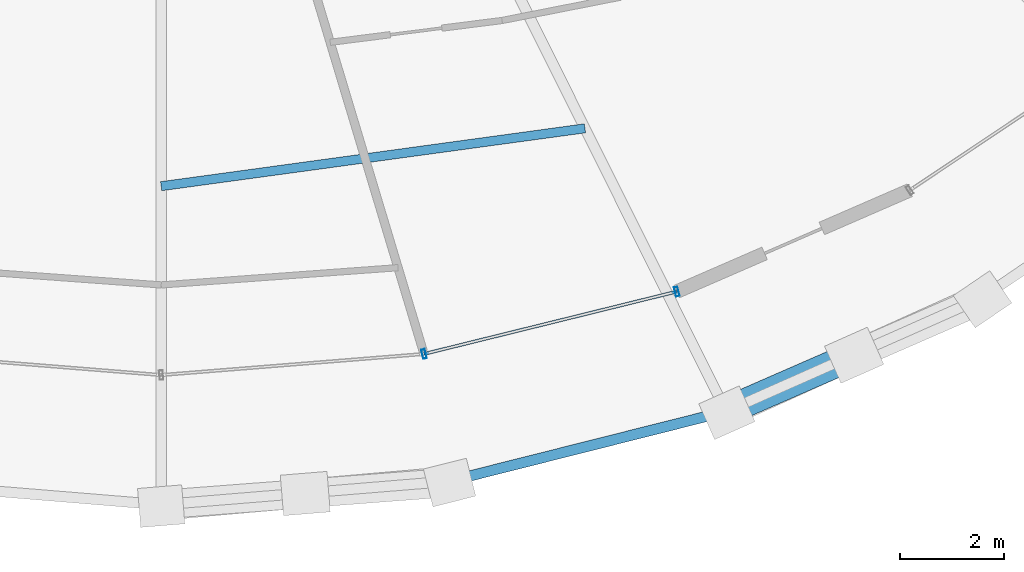
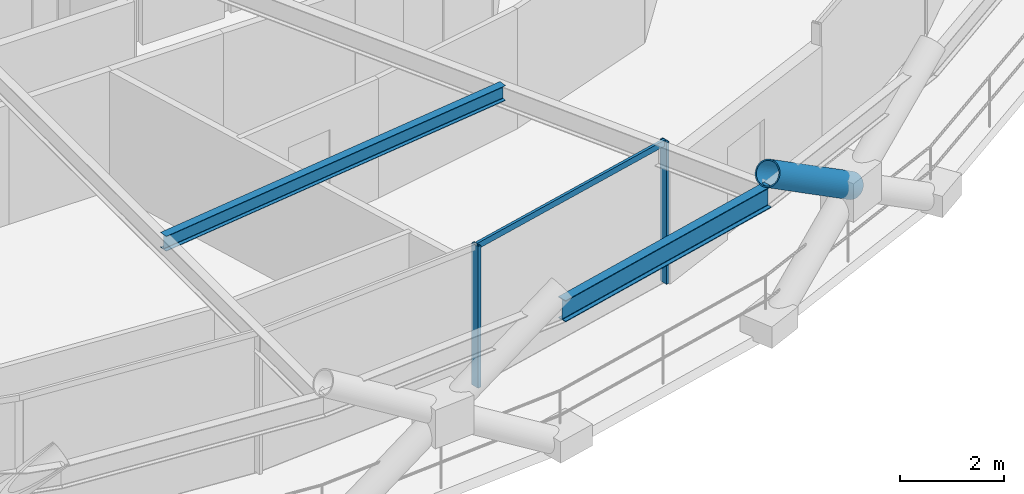
# One storey, part 4 of 21: 4 members, 2 beams, 1 element without a shape of its own.
"""IFC4 building model written with IfcOpenShell, lengths in metres."""

import ifcopenshell
import ifcopenshell.guid

model = None  # the IFC model being written
_history = None  # IfcOwnerHistory: only IFC2X3 demands one
_inside = {}  # id of a spatial element -> (the spatial element, [elements in it])
_under = {}  # id of a project, library or spatial element -> (it, [spatial elements below it])
_declared = {}  # id of a project -> (the project, [libraries it declares])
_typed = {}  # id of a type object -> (the type object, [elements of that type])
_made_of = {}  # id of a material, layer set ... -> (it, [elements and type objects made of it])


def new_model(schema):
    """Start an empty IFC model of exactly this schema.

    Asked for "IFC4X3", IfcOpenShell would pick the latest addendum, in which some entities
    have other attributes; the version numbers below select the first issue.
    IFC2X3 requires an IfcOwnerHistory on every rooted entity: one is made here for all.
    """
    global model, _history
    if schema == "IFC4X3":
        model = ifcopenshell.file(schema_version=(4, 3, 0, 0))
    else:
        model = ifcopenshell.file(schema=schema)
    _inside.clear()
    _under.clear()
    _declared.clear()
    _typed.clear()
    _made_of.clear()
    _history = None
    if model.schema == "IFC2X3":
        org = make("IfcOrganization", Name="unknown")
        user = make(
            "IfcPersonAndOrganization",
            ThePerson=make("IfcPerson", FamilyName="unknown"),
            TheOrganization=org,
        )
        app = make(
            "IfcApplication",
            ApplicationDeveloper=org,
            Version="unknown",
            ApplicationFullName="unknown",
            ApplicationIdentifier="unknown",
        )
        _history = make(
            "IfcOwnerHistory",
            OwningUser=user,
            OwningApplication=app,
            ChangeAction="ADDED",
            CreationDate=0,
        )
    return model


def make(cls, **values):
    """One entity of the class cls with the attributes given. An attribute that is None is left unset."""
    return model.create_entity(
        cls, **{name: value for name, value in values.items() if value is not None}
    )


def rooted(cls, **values):
    """An entity with a GlobalId (a new one), such as an element, a storey or a relation."""
    return make(cls, GlobalId=ifcopenshell.guid.new(), OwnerHistory=_history, **values)


def si_unit(unit_type, name, prefix=None):
    """IfcSIUnit, for example si_unit("LENGTHUNIT", "METRE", prefix="MILLI")."""
    return make("IfcSIUnit", UnitType=unit_type, Prefix=prefix, Name=name)


def assignment(units):
    """IfcUnitAssignment: the units of a project."""
    return None if units is None else make("IfcUnitAssignment", Units=units)


def point(xyz):
    """IfcCartesianPoint."""
    return None if xyz is None else make("IfcCartesianPoint", Coordinates=xyz)


def direction(xyz):
    """IfcDirection."""
    return None if xyz is None else make("IfcDirection", DirectionRatios=xyz)


def frame(location, z_axis=None, x_axis=None):
    """IfcAxis2Placement3D, a coordinate frame: its origin and axes. An axis left out is left unset."""
    return make(
        "IfcAxis2Placement3D",
        Location=point(location),
        Axis=direction(z_axis),
        RefDirection=direction(x_axis),
    )


def frame_2d(location, x_axis=None):
    """IfcAxis2Placement2D, a coordinate frame in the plane: its origin and x axis."""
    return make(
        "IfcAxis2Placement2D", Location=point(location), RefDirection=direction(x_axis)
    )


def origin():
    """The frame at (0, 0, 0) with its axes left unset."""
    return frame((0.0, 0.0, 0.0))


def origin_2d():
    """The frame at (0, 0) in the plane with its x axis left unset."""
    return frame_2d((0.0, 0.0))


def place(relative_to, where):
    """IfcLocalPlacement: puts the frame where relative to a parent placement (None: the world)."""
    return make(
        "IfcLocalPlacement", PlacementRelTo=relative_to, RelativePlacement=where
    )


def context(
    kind, dimensions, precision=None, world=None, true_north=None, identifier=None
):
    """IfcGeometricRepresentationContext, for example the 3D "Model" context."""
    return make(
        "IfcGeometricRepresentationContext",
        ContextIdentifier=identifier,
        ContextType=kind,
        CoordinateSpaceDimension=dimensions,
        Precision=precision,
        WorldCoordinateSystem=world,
        TrueNorth=true_north,
    )


def subcontext(parent, identifier, kind, view, scale=None):
    """IfcGeometricRepresentationSubContext, for example "Body" below "Model"."""
    return make(
        "IfcGeometricRepresentationSubContext",
        ContextIdentifier=identifier,
        ContextType=kind,
        ParentContext=parent,
        TargetScale=scale,
        TargetView=view,
    )


def project(units=None, contexts=None):
    """IfcProject with its units and contexts."""
    return rooted(
        "IfcProject",
        Name="project",
        RepresentationContexts=contexts,
        UnitsInContext=assignment(units),
    )


def spatial(cls, under=None, at=None, **own):
    """A site, building, storey or space (cls), placed at a placement, below another one or the project."""
    s = rooted(cls, ObjectPlacement=at, **own)
    if under is not None:
        _under.setdefault(under.id(), (under, []))[1].append(s)
    return s


def profile(cls, at=None, kind="AREA", **sizes):
    """A parametric profile (cls). Its sizes go by their IFC names, for example OverallWidth=200.0."""
    return make(cls, ProfileType=kind, Position=at, **sizes)


def hollow_rectangle(**sizes):
    """IfcRectangleHollowProfileDef."""
    return profile("IfcRectangleHollowProfileDef", **sizes)


def hollow_circle(**sizes):
    """IfcCircleHollowProfileDef."""
    return profile("IfcCircleHollowProfileDef", **sizes)


def i_section(**sizes):
    """IfcIShapeProfileDef."""
    return profile("IfcIShapeProfileDef", **sizes)


def extrude(swept, where, along, depth):
    """IfcExtrudedAreaSolid: the profile swept, set in the frame where, extruded along a direction by depth."""
    return make(
        "IfcExtrudedAreaSolid",
        SweptArea=swept,
        Position=where,
        ExtrudedDirection=direction(along),
        Depth=depth,
    )


def shape(context_of_items, identifier, shape_type, items):
    """IfcShapeRepresentation: the items that make up one representation, for example the "Body"."""
    return make(
        "IfcShapeRepresentation",
        ContextOfItems=context_of_items,
        RepresentationIdentifier=identifier,
        RepresentationType=shape_type,
        Items=items,
    )


def material(Name=None, Category=None):
    """IfcMaterial."""
    return make("IfcMaterial", Name=Name, Category=Category)


def layer(
    of_material, thickness, ventilated=None, Name=None, Category=None, Priority=None
):
    """IfcMaterialLayer: one layer of a wall or slab, of a material (None: an air gap)."""
    return make(
        "IfcMaterialLayer",
        Material=of_material,
        LayerThickness=thickness,
        IsVentilated=ventilated,
        Name=Name,
        Category=Category,
        Priority=Priority,
    )


def layer_set(layers, Name=None):
    """IfcMaterialLayerSet."""
    return make("IfcMaterialLayerSet", MaterialLayers=layers, LayerSetName=Name)


def material_profile(
    of_material, cross_section, Name=None, Category=None, Priority=None
):
    """IfcMaterialProfile: a cross section and its material."""
    return make(
        "IfcMaterialProfile",
        Name=Name,
        Material=of_material,
        Profile=cross_section,
        Priority=Priority,
        Category=Category,
    )


def profile_set(profiles, Name=None, composite=None):
    """IfcMaterialProfileSet."""
    return make(
        "IfcMaterialProfileSet",
        Name=Name,
        MaterialProfiles=profiles,
        CompositeProfile=composite,
    )


def made_of(thing, what):
    """Note that an element or type object is made of a material, layer set ...; save() writes the relation."""
    if what is not None:
        _made_of.setdefault(what.id(), (what, []))[1].append(thing)
    return thing


def type_object(cls, material=None, **own):
    """A type object (cls), such as IfcWallType, which elements share."""
    return made_of(rooted(cls, **own), material)


def element(
    cls,
    number,
    at=None,
    inside=None,
    cuts=None,
    type_object=None,
    material=None,
    context=None,
    identifier="Body",
    shape_type=None,
    held_by="IfcProductDefinitionShape",
    body=None,
    shapes=None,
    **own,
):
    """One element of the class cls, such as IfcWall. Its Tag is "e" and its number.

    at: its placement. inside: the storey or other place that contains it. cuts: it is an
    opening in that element (IfcRelVoidsElement). A single representation is given by context,
    identifier, shape_type and body (its items); several are given by shapes. held_by: the class
    of the entity that holds the representations. save() writes the other relations.
    """
    e = rooted(cls, Tag="e%d" % number, ObjectPlacement=at, **own)
    if body is not None:
        shapes = [shape(context, identifier, shape_type, body)]
    if shapes is not None:
        e.Representation = make(held_by, Representations=shapes)
    if inside is not None:
        _inside.setdefault(inside.id(), (inside, []))[1].append(e)
    if cuts is not None:
        rooted(
            "IfcRelVoidsElement", RelatingBuildingElement=cuts, RelatedOpeningElement=e
        )
    if type_object is not None:
        _typed.setdefault(type_object.id(), (type_object, []))[1].append(e)
    return made_of(e, material)


def aggregate(whole, parts):
    """IfcRelAggregates: a whole, such as a stair, and the parts it consists of."""
    return rooted("IfcRelAggregates", RelatingObject=whole, RelatedObjects=parts)


def save(model, path):
    """Write the relations noted so far, then the file.

    IfcRelAggregates (storeys below a building ...), IfcRelContainedInSpatialStructure (elements
    in a storey), IfcRelDefinesByType, IfcRelAssociatesMaterial and IfcRelDeclares: one each for
    every whole, place, type object, material and project.
    """
    for whole, parts in _under.values():
        aggregate(whole, parts)
    for where, things in _inside.values():
        rooted(
            "IfcRelContainedInSpatialStructure",
            RelatedElements=things,
            RelatingStructure=where,
        )
    for kind, things in _typed.values():
        rooted("IfcRelDefinesByType", RelatedObjects=things, RelatingType=kind)
    for what, things in _made_of.values():
        rooted("IfcRelAssociatesMaterial", RelatedObjects=things, RelatingMaterial=what)
    for by, libraries in _declared.values():
        rooted("IfcRelDeclares", RelatingContext=by, RelatedDefinitions=libraries)
    model.write(path)


model = new_model("IFC4")

# Units and contexts
model_context = context("Model", 3, precision=1e-05, world=origin(), true_north=direction((0.0, 1.0)))
body_context = subcontext(model_context, "Body", "Model", "MODEL_VIEW")
ifc_project = project(units=[si_unit("LENGTHUNIT", "METRE"), si_unit("AREAUNIT", "SQUARE_METRE"), si_unit("VOLUMEUNIT", "CUBIC_METRE"), si_unit("PLANEANGLEUNIT", "RADIAN"), si_unit("MASSUNIT", "GRAM", prefix="KILO")], contexts=[model_context])

# Site, building, storey
site_placement = place(None, origin())
site = spatial("IfcSite", under=ifc_project, at=site_placement, CompositionType="ELEMENT")
building_placement = place(site_placement, origin())
building = spatial("IfcBuilding", under=site, at=building_placement, Name="Veldorina Hangang Commons", CompositionType="ELEMENT")
storey_placement = place(building_placement, frame((0.0, 0.0, 142.39990234375)))
storey = spatial("IfcBuildingStorey", under=building, at=storey_placement, Name="L36", CompositionType="ELEMENT", Elevation=142.39990234375)

# Beams
ifc_material_1 = material(Name="Steel SM355-TMC", Category="steel")
ifc_material_profile_1 = material_profile(ifc_material_1, i_section(OverallWidth=0.175048828125, OverallDepth=0.35009765625, WebThickness=0.007080078125, FlangeThickness=0.010986328125, FilletRadius=0.012939453125, at=origin_2d()), Name="H-350x175x7x11")
ifc_profile_set_1 = profile_set([ifc_material_profile_1], Name="Steel SM355-TMC")
beam_type_1 = type_object("IfcBeamType", Name="BM-JST350", PredefinedType="JOIST", material=ifc_profile_set_1)
beam_1_placement = place(storey_placement, frame((32.0, 6.5595703125, 3.175048828125), z_axis=(0.990807744856, 0.13527753965, 0.0), x_axis=(-0.13527753965, 0.990807744856, 0.0)))
element("IfcBeam", 1, at=beam_1_placement, inside=storey, type_object=beam_type_1, Name="L36 secondary floor joist 13", PredefinedType="JOIST", context=body_context, shape_type="SweptSolid", body=[
    extrude(i_section(OverallWidth=0.175048828125, OverallDepth=0.35009765625, WebThickness=0.007080078125, FlangeThickness=0.010986328125, FilletRadius=0.012939453125, at=origin_2d()), origin(), (0.0, 0.0, 1.0), 8.220703125),
])
ifc_material_2 = material(Name="Steel SM420-TMC", Category="steel")
ifc_material_profile_2 = material_profile(ifc_material_2, i_section(OverallWidth=0.199951171875, OverallDepth=0.5, WebThickness=0.010009765625, FlangeThickness=0.01611328125, FilletRadius=0.01611328125, at=origin_2d()), Name="H-500x200x10x16")
ifc_profile_set_2 = profile_set([ifc_material_profile_2], Name="Steel SM420-TMC")
beam_type_2 = type_object("IfcBeamType", Name="BM-RB500", PredefinedType="BEAM", material=ifc_profile_set_2)
beam_2_placement = place(storey_placement, frame((37.535888671875, 0.88916015625, 3.10009765625), z_axis=(0.969711938527, 0.244251420216, 0.0), x_axis=(-0.244251420216, 0.969711938527, 0.0)))
element("IfcBeam", 2, at=beam_2_placement, inside=storey, type_object=beam_type_2, Name="L36 perimeter hoop ring beam 25", PredefinedType="BEAM", context=body_context, shape_type="SweptSolid", body=[
    extrude(i_section(OverallWidth=0.199951171875, OverallDepth=0.5, WebThickness=0.010009765625, FlangeThickness=0.01611328125, FilletRadius=0.01611328125, at=origin_2d()), origin(), (0.0, 0.0, 1.0), 5.489501953125),
])

# Curtain wall, members
ifc_material_3 = material(Name="Glass Low-E Triple IGU", Category="glass")
ifc_layer = layer(ifc_material_3, 0.179931640625)
ifc_layer_set = layer_set([ifc_layer], Name="Glass Low-E Triple IGU")
curtain_wall_type = type_object("IfcCurtainWallType", Name="CW-SYS-Z2", PredefinedType="NOTDEFINED", material=ifc_layer_set)
curtain_wall_placement = place(storey_placement, origin())
curtain_wall = element("IfcCurtainWall", 3, at=curtain_wall_placement, inside=storey, type_object=curtain_wall_type, Name="L36 unitised curtain wall CW-L36-R1", PredefinedType="NOTDEFINED")
ifc_material_4 = material(Name="Aluminium Anodized AA6063-T6", Category="aluminium")
ifc_material_profile_3 = material_profile(ifc_material_4, hollow_rectangle(XDim=0.070068359375, YDim=0.179931640625, WallThickness=0.00390625, at=origin_2d()), Name="ALU-RHS-180x70x4")
ifc_profile_set_3 = profile_set([ifc_material_profile_3], Name="Aluminium Anodized AA6063-T6")
member_type_1 = type_object("IfcMemberType", Name="CW-MUL-180", PredefinedType="MULLION", material=ifc_profile_set_3)
member_1_placement = place(storey_placement, frame((37.0517578125, 3.334716796875, 0.0), z_axis=(0.0, 0.0, 1.0), x_axis=(0.970863047415, 0.239635020738, 0.0)))
member_1 = element("IfcMember", 4, at=member_1_placement, type_object=member_type_1, Name="CW-L36-R1 vertical mullion 3", PredefinedType="MULLION", context=body_context, shape_type="SweptSolid", body=[
    extrude(hollow_rectangle(XDim=0.070068359375, YDim=0.179931640625, WallThickness=0.00390625, at=origin_2d()), origin(), (0.0, 0.0, 1.0), 3.31005859375),
])
member_2_placement = place(storey_placement, frame((41.909423828125, 4.53369140625, 0.0), z_axis=(0.0, 0.0, 1.0), x_axis=(-0.970863047415, -0.239635020738, 0.0)))
member_2 = element("IfcMember", 5, at=member_2_placement, type_object=member_type_1, Name="CW-L36-R1 vertical mullion 4", PredefinedType="MULLION", context=body_context, shape_type="SweptSolid", body=[
    extrude(hollow_rectangle(XDim=0.070068359375, YDim=0.179931640625, WallThickness=0.00390625, at=origin_2d()), origin(), (0.0, 0.0, 1.0), 3.31005859375),
])
ifc_material_profile_4 = material_profile(ifc_material_4, hollow_rectangle(XDim=0.06005859375, YDim=0.139892578125, WallThickness=0.00341796875, at=origin_2d()), Name="ALU-RHS-140x60x3.5")
ifc_profile_set_4 = profile_set([ifc_material_profile_4], Name="Aluminium Anodized AA6063-T6")
member_type_2 = type_object("IfcMemberType", Name="CW-TRN-140", PredefinedType="USERDEFINED", material=ifc_profile_set_4)
member_3_placement = place(storey_placement, frame((37.0517578125, 3.334716796875, 3.27001953125), z_axis=(0.970864328727, 0.239629829541, 0.0), x_axis=(-0.239629829541, 0.970864328727, 0.0)))
member_3 = element("IfcMember", 6, at=member_3_placement, type_object=member_type_2, Name="CW-L36-R1 facet 4 transom 1", ObjectType="TRANSOM", PredefinedType="USERDEFINED", context=body_context, shape_type="SweptSolid", body=[
    extrude(hollow_rectangle(XDim=0.06005859375, YDim=0.139892578125, WallThickness=0.00341796875, at=origin_2d()), origin(), (0.0, 0.0, 1.0), 5.00341796875),
])
aggregate(curtain_wall, [member_1, member_2, member_3])

# Member
ifc_material_profile_5 = material_profile(ifc_material_2, hollow_circle(Radius=0.27490234375, WallThickness=0.028076171875, at=origin_2d()), Name="CHS-550x28")
ifc_profile_set_5 = profile_set([ifc_material_profile_5], Name="Steel SM420-TMC")
member_type_3 = type_object("IfcMemberType", Name="DG-CHS550", PredefinedType="BRACE", material=ifc_profile_set_5)
member_4_placement = place(storey_placement, frame((45.319580078125, 3.30908203125, 1.801513671875), z_axis=(-0.761601990025, -0.332516621797, 0.556232959306), x_axis=(0.400127622405, -0.916459429428, 0.0)))
element("IfcMember", 7, at=member_4_placement, inside=storey, type_object=member_type_3, Name="L36 split perimeter diagrid upper brace 27", PredefinedType="BRACE", context=body_context, shape_type="SweptSolid", body=[
    extrude(hollow_circle(Radius=0.27490234375, WallThickness=0.028076171875, at=origin_2d()), origin(), (0.0, 0.0, 1.0), 3.2333984375),
])

save(model, "model.ifc")
